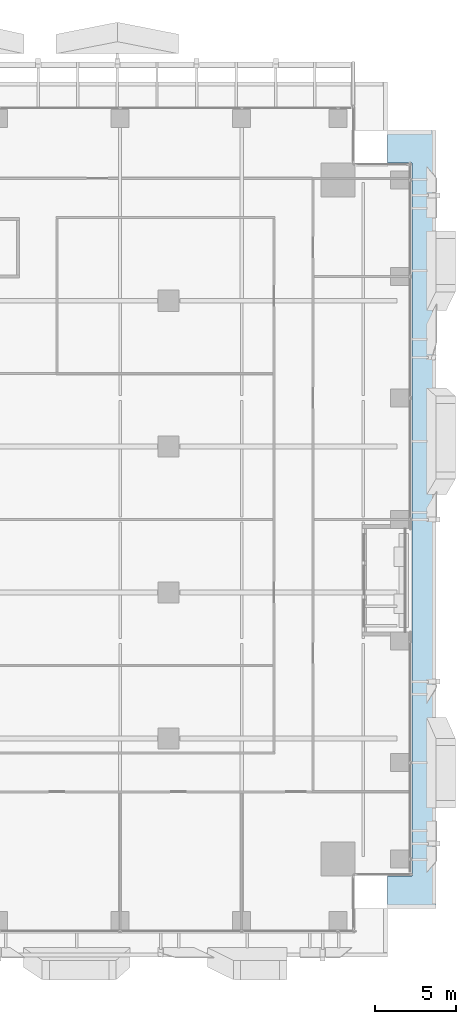
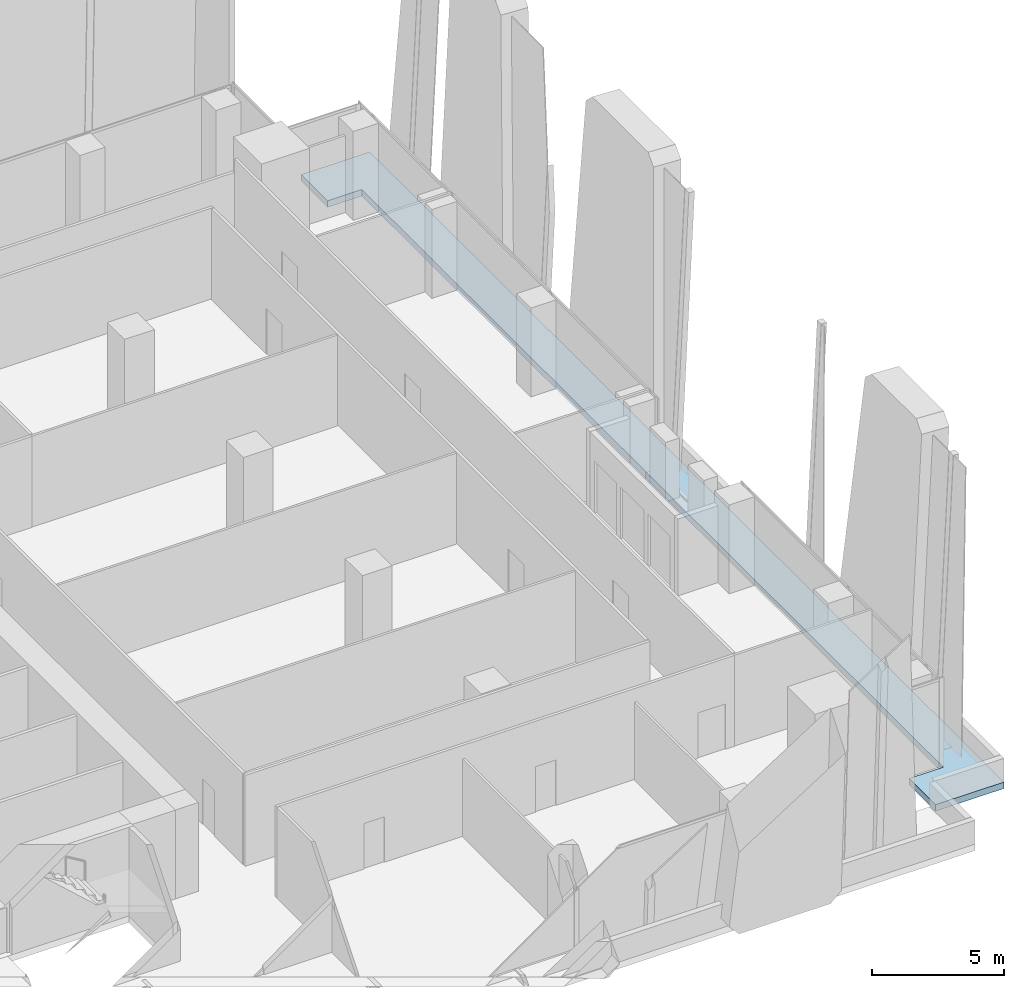
# One storey, part 24 of 37: 1 slab.
"""IFC4 building model written with IfcOpenShell, lengths in metres."""

from ifc_helpers import new_model, si_unit, direction, frame, origin, place, context, subcontext, project, spatial, polyline, outline, extrude, source, transform, mapped, material, layer, layer_set, type_object, element, save


model = new_model("IFC4")

# Units and contexts
model_context = context("Model", 3, precision=1e-05, world=origin(), true_north=direction((0.0, 1.0)))
body_context = subcontext(model_context, "Body", "Model", "MODEL_VIEW")
ifc_project = project(units=[si_unit("LENGTHUNIT", "METRE"), si_unit("AREAUNIT", "SQUARE_METRE"), si_unit("VOLUMEUNIT", "CUBIC_METRE"), si_unit("PLANEANGLEUNIT", "RADIAN"), si_unit("MASSUNIT", "GRAM", prefix="KILO")], contexts=[model_context])

# Site, building, storey
site_placement = place(None, origin())
site = spatial("IfcSite", under=ifc_project, at=site_placement, CompositionType="ELEMENT")
building_placement = place(site_placement, origin())
building = spatial("IfcBuilding", under=site, at=building_placement, Name="Khomas Fold Tower", CompositionType="ELEMENT")
storey_placement = place(building_placement, frame((0.0, 0.0, 101.5)))
storey = spatial("IfcBuildingStorey", under=building, at=storey_placement, Name="L21", CompositionType="ELEMENT", Elevation=101.5)

# Slab
ifc_material = material(Name="Concrete C40/50", Category="concrete")
ifc_layer = layer(ifc_material, 0.300048828125)
ifc_layer_set = layer_set([ifc_layer], Name="Concrete C40/50")
slab_type = type_object("IfcSlabType", Name="RC roof slab 300", PredefinedType="ROOF", material=ifc_layer_set)
shared_shape = source(origin(), body_context, "Body", "SweptSolid", [
    extrude(outline(polyline([(51.0048828125, 3.0), (54.0, 3.0), (54.0, 51.0), (51.0048828125, 51.0), (51.0048828125, 49.0), (52.5, 49.0), (52.5, 5.0), (51.0048828125, 5.0), (51.0048828125, 3.0)])), origin(), (0.0, 0.0, 1.0), 0.300048828125),
])
slab_placement = place(storey_placement, frame((0.0, 0.0, -0.300048828125)))
element("IfcSlab", 1, at=slab_placement, inside=storey, type_object=slab_type, Name="Setback roof slab", PredefinedType="ROOF", context=body_context, shape_type="MappedRepresentation", body=[
    mapped(shared_shape, transform((0.0, 0.0, 0.0))),
])

save(model, "model.ifc")
